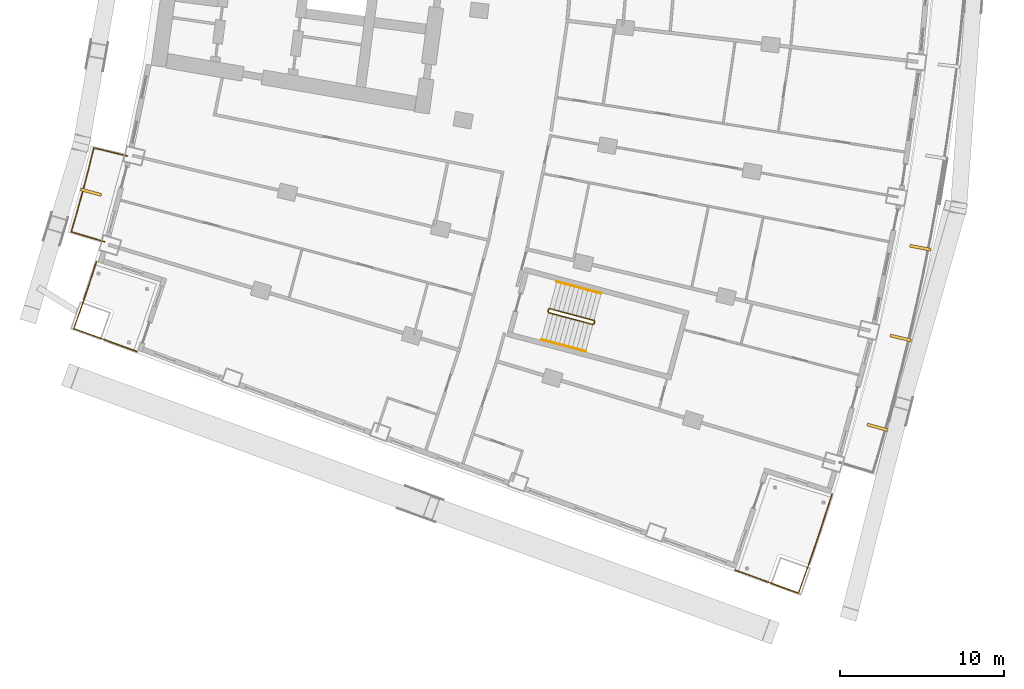
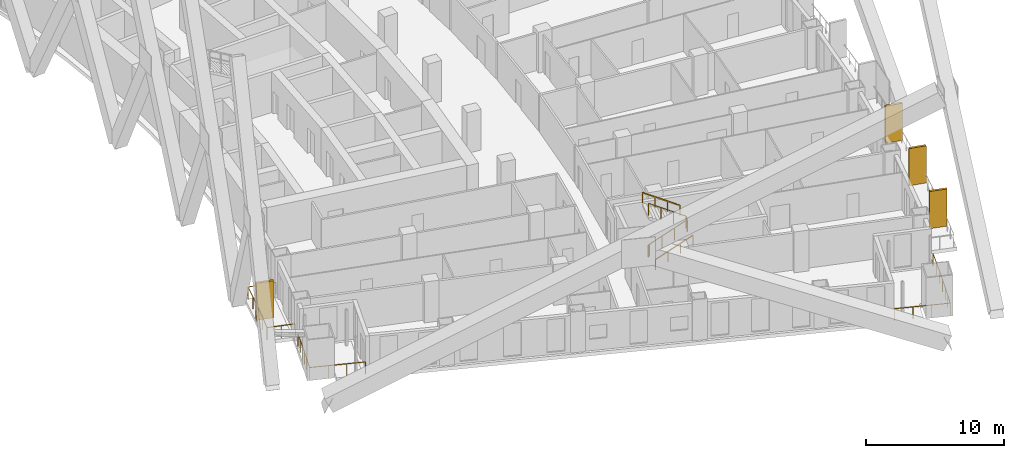
# One storey, part 21 of 23: 6 railings, 4 shading devices.
"""IFC4 building model written with IfcOpenShell, lengths in metres."""

from ifc_helpers import new_model, si_unit, direction, frame, origin, origin_2d, place, context, subcontext, project, spatial, rectangle, extrude, material, layer, layer_set, type_object, element, save


model = new_model("IFC4")

# Units and contexts
model_context = context("Model", 3, precision=1e-05, world=origin(), true_north=direction((0.0, 1.0)))
body_context = subcontext(model_context, "Body", "Model", "MODEL_VIEW")
ifc_project = project(units=[si_unit("LENGTHUNIT", "METRE"), si_unit("AREAUNIT", "SQUARE_METRE"), si_unit("VOLUMEUNIT", "CUBIC_METRE"), si_unit("PLANEANGLEUNIT", "RADIAN"), si_unit("MASSUNIT", "GRAM", prefix="KILO")], contexts=[model_context])

# Site, building, storey
site_placement = place(None, origin())
site = spatial("IfcSite", under=ifc_project, at=site_placement, CompositionType="ELEMENT")
building_placement = place(site_placement, origin())
building = spatial("IfcBuilding", under=site, at=building_placement, Name="Alderwake Tower", CompositionType="ELEMENT")
storey_placement = place(building_placement, frame((0.0, 0.0, 53.60009765625)))
storey = spatial("IfcBuildingStorey", under=building, at=storey_placement, Name="L12", CompositionType="ELEMENT", Elevation=53.60009765625)

# Railings
ifc_material_1 = material(Name="Stainless steel 316 rail and posts", Category="steel")
railing_type_1 = type_object("IfcRailingType", Name="Balcony guard 1100", PredefinedType="GUARDRAIL", material=ifc_material_1)
railing_1_placement = place(storey_placement, frame((12.16650390625, 33.435791015625, 0.0)))
element("IfcRailing", 1, at=railing_1_placement, inside=storey, type_object=railing_type_1, Name="Guard BR02", PredefinedType="GUARDRAIL", context=body_context, shape_type="SweptSolid", body=[
    extrude(rectangle(XDim=0.048095703125, YDim=0.048095703125, at=origin_2d()), frame((0.0, 0.0, 1.076171875), z_axis=(-0.958091458885, 0.286462486918, 0.0), x_axis=(-0.286462486918, -0.958091458885, 0.0)), (0.0, 0.0, 1.0), 2.099853515625),
    extrude(rectangle(XDim=0.048095703125, YDim=0.048095703125, at=origin_2d()), frame((-2.011962890625, 0.6015625, 1.076171875), z_axis=(0.279963157487, 0.960010744966, 0.0), x_axis=(-0.960010744966, 0.279963157487, 0.0)), (0.0, 0.0, 1.0), 1.272216796875),
    extrude(rectangle(XDim=0.048095703125, YDim=0.048095703125, at=origin_2d()), frame((-1.65576171875, 1.822998046875, 1.076171875), z_axis=(0.266487604617, 0.963838345671, 0.0), x_axis=(-0.963838345671, 0.266487604617, 0.0)), (0.0, 0.0, 1.0), 1.372314453125),
    extrude(rectangle(XDim=0.048095703125, YDim=0.048095703125, at=origin_2d()), frame((-1.2900390625, 3.145751953125, 1.076171875), z_axis=(0.252487086228, 0.967600264204, 0.0), x_axis=(-0.967600264204, 0.252487086228, 0.0)), (0.0, 0.0, 1.0), 1.3720703125),
    extrude(rectangle(XDim=0.048095703125, YDim=0.048095703125, at=origin_2d()), frame((-0.943603515625, 4.473388671875, 1.076171875), z_axis=(0.238877101641, 0.971049808358, 0.0), x_axis=(-0.971049808358, 0.238877101641, 0.0)), (0.0, 0.0, 1.0), 1.2724609375),
    extrude(rectangle(XDim=0.048095703125, YDim=0.048095703125, at=origin_2d()), frame((-0.6396484375, 5.708984375, 1.076171875), z_axis=(0.972646310656, -0.232291098337, 0.0), x_axis=(0.232291098337, 0.972646310656, 0.0)), (0.0, 0.0, 1.0), 2.099853515625),
    extrude(rectangle(XDim=0.0419921875, YDim=0.0419921875, at=origin_2d()), frame((0.0, 0.0, 0.0), z_axis=(0.0, 0.0, 1.0), x_axis=(-0.958091458885, 0.286462486918, 0.0)), (0.0, 0.0, 1.0), 1.052001953125),
    extrude(rectangle(XDim=0.0419921875, YDim=0.0419921875, at=origin_2d()), frame((-1.005859375, 0.30078125, 0.0), z_axis=(0.0, 0.0, 1.0), x_axis=(-0.958091458885, 0.286462486918, 0.0)), (0.0, 0.0, 1.0), 1.052001953125),
    extrude(rectangle(XDim=0.0419921875, YDim=0.0419921875, at=origin_2d()), frame((-2.011962890625, 0.6015625, 0.0), z_axis=(0.0, 0.0, 1.0), x_axis=(0.279963157487, 0.960010744966, 0.0)), (0.0, 0.0, 1.0), 1.052001953125),
    extrude(rectangle(XDim=0.0419921875, YDim=0.0419921875, at=origin_2d()), frame((-1.65576171875, 1.822998046875, 0.0), z_axis=(0.0, 0.0, 1.0), x_axis=(0.266487604617, 0.963838345671, 0.0)), (0.0, 0.0, 1.0), 1.052001953125),
    extrude(rectangle(XDim=0.0419921875, YDim=0.0419921875, at=origin_2d()), frame((-1.2900390625, 3.145751953125, 0.0), z_axis=(0.0, 0.0, 1.0), x_axis=(0.252487086228, 0.967600264204, 0.0)), (0.0, 0.0, 1.0), 1.052001953125),
    extrude(rectangle(XDim=0.0419921875, YDim=0.0419921875, at=origin_2d()), frame((-0.943603515625, 4.473388671875, 0.0), z_axis=(0.0, 0.0, 1.0), x_axis=(0.238877101641, 0.971049808358, 0.0)), (0.0, 0.0, 1.0), 1.052001953125),
    extrude(rectangle(XDim=0.0419921875, YDim=0.0419921875, at=origin_2d()), frame((-0.6396484375, 5.708984375, 0.0), z_axis=(0.0, 0.0, 1.0), x_axis=(0.972646310656, -0.232291098337, 0.0)), (0.0, 0.0, 1.0), 1.052001953125),
    extrude(rectangle(XDim=0.0419921875, YDim=0.0419921875, at=origin_2d()), frame((0.381591796875, 5.465087890625, 0.0), z_axis=(0.0, 0.0, 1.0), x_axis=(0.972646310656, -0.232291098337, 0.0)), (0.0, 0.0, 1.0), 1.052001953125),
    extrude(rectangle(XDim=0.0419921875, YDim=0.0419921875, at=origin_2d()), frame((1.40283203125, 5.22119140625, 0.0), z_axis=(0.0, 0.0, 1.0), x_axis=(0.972646310656, -0.232291098337, 0.0)), (0.0, 0.0, 1.0), 1.052001953125),
])
railing_2_placement = place(storey_placement, frame((56.501708984375, 18.048095703125, 0.0)))
element("IfcRailing", 2, at=railing_2_placement, inside=storey, type_object=railing_type_1, Name="Guard terrace FS", PredefinedType="GUARDRAIL", context=body_context, shape_type="SweptSolid", body=[
    extrude(rectangle(XDim=0.048095703125, YDim=0.048095703125, at=origin_2d()), frame((0.0, 0.0, 1.076171875), z_axis=(-0.307695208636, -0.95148497549, 0.0), x_axis=(0.95148497549, -0.307695208636, 0.0)), (0.0, 0.0, 1.0), 2.28662109375),
    extrude(rectangle(XDim=0.048095703125, YDim=0.048095703125, at=origin_2d()), frame((-0.70361328125, -2.17578125, 1.076171875), z_axis=(-0.322292794667, -0.946640034282, 0.0), x_axis=(0.946640034282, -0.322292794667, 0.0)), (0.0, 0.0, 1.0), 2.0869140625),
    extrude(rectangle(XDim=0.048095703125, YDim=0.048095703125, at=origin_2d()), frame((-1.376220703125, -4.1513671875, 1.076171875), z_axis=(-0.335736890056, -0.941955806105, 0.0), x_axis=(0.941955806105, -0.335736890056, 0.0)), (0.0, 0.0, 1.0), 1.986572265625),
    extrude(rectangle(XDim=0.048095703125, YDim=0.048095703125, at=origin_2d()), frame((-2.043212890625, -6.022705078125, 1.076171875), z_axis=(-0.939617696184, 0.342225926863, 0.0), x_axis=(-0.342225926863, -0.939617696184, 0.0)), (0.0, 0.0, 1.0), 4.099853515625),
    extrude(rectangle(XDim=0.0419921875, YDim=0.0419921875, at=origin_2d()), frame((0.0, 0.0, 0.0), z_axis=(0.0, 0.0, 1.0), x_axis=(-0.307695208636, -0.95148497549, 0.0)), (0.0, 0.0, 1.0), 1.052001953125),
    extrude(rectangle(XDim=0.0419921875, YDim=0.0419921875, at=origin_2d()), frame((-0.351806640625, -1.087890625, 0.0), z_axis=(0.0, 0.0, 1.0), x_axis=(-0.307695208636, -0.95148497549, 0.0)), (0.0, 0.0, 1.0), 1.052001953125),
    extrude(rectangle(XDim=0.0419921875, YDim=0.0419921875, at=origin_2d()), frame((-0.70361328125, -2.17578125, 0.0), z_axis=(0.0, 0.0, 1.0), x_axis=(-0.322292794667, -0.946640034282, 0.0)), (0.0, 0.0, 1.0), 1.052001953125),
    extrude(rectangle(XDim=0.0419921875, YDim=0.0419921875, at=origin_2d()), frame((-1.0400390625, -3.16357421875, 0.0), z_axis=(0.0, 0.0, 1.0), x_axis=(-0.322292794667, -0.946640034282, 0.0)), (0.0, 0.0, 1.0), 1.052001953125),
    extrude(rectangle(XDim=0.0419921875, YDim=0.0419921875, at=origin_2d()), frame((-1.376220703125, -4.1513671875, 0.0), z_axis=(0.0, 0.0, 1.0), x_axis=(-0.335736890056, -0.941955806105, 0.0)), (0.0, 0.0, 1.0), 1.052001953125),
    extrude(rectangle(XDim=0.0419921875, YDim=0.0419921875, at=origin_2d()), frame((-1.709716796875, -5.0869140625, 0.0), z_axis=(0.0, 0.0, 1.0), x_axis=(-0.335736890056, -0.941955806105, 0.0)), (0.0, 0.0, 1.0), 1.052001953125),
    extrude(rectangle(XDim=0.0419921875, YDim=0.0419921875, at=origin_2d()), frame((-2.043212890625, -6.022705078125, 0.0), z_axis=(0.0, 0.0, 1.0), x_axis=(-0.939617696184, 0.342225926863, 0.0)), (0.0, 0.0, 1.0), 1.052001953125),
    extrude(rectangle(XDim=0.0419921875, YDim=0.0419921875, at=origin_2d()), frame((-3.327392578125, -5.554931640625, 0.0), z_axis=(0.0, 0.0, 1.0), x_axis=(-0.939617696184, 0.342225926863, 0.0)), (0.0, 0.0, 1.0), 1.052001953125),
    extrude(rectangle(XDim=0.0419921875, YDim=0.0419921875, at=origin_2d()), frame((-4.611328125, -5.08740234375, 0.0), z_axis=(0.0, 0.0, 1.0), x_axis=(-0.939617696184, 0.342225926863, 0.0)), (0.0, 0.0, 1.0), 1.052001953125),
    extrude(rectangle(XDim=0.0419921875, YDim=0.0419921875, at=origin_2d()), frame((-5.8955078125, -4.61962890625, 0.0), z_axis=(0.0, 0.0, 1.0), x_axis=(-0.939617696184, 0.342225926863, 0.0)), (0.0, 0.0, 1.0), 1.052001953125),
])
railing_3_placement = place(storey_placement, frame((11.688720703125, 32.218017578125, 0.0)))
element("IfcRailing", 3, at=railing_3_placement, inside=storey, type_object=railing_type_1, Name="Guard terrace RS", PredefinedType="GUARDRAIL", context=body_context, shape_type="SweptSolid", body=[
    extrude(rectangle(XDim=0.048095703125, YDim=0.048095703125, at=origin_2d()), frame((0.0, 0.0, 1.076171875), z_axis=(-0.307479326145, -0.951554761426, 0.0), x_axis=(0.951554761426, -0.307479326145, 0.0)), (0.0, 0.0, 1.0), 1.6015625),
    extrude(rectangle(XDim=0.048095703125, YDim=0.048095703125, at=origin_2d()), frame((-0.492431640625, -1.52392578125, 1.076171875), z_axis=(-0.322283727344, -0.946643121292, 0.0), x_axis=(0.946643121292, -0.322283727344, 0.0)), (0.0, 0.0, 1.0), 1.4013671875),
    extrude(rectangle(XDim=0.048095703125, YDim=0.048095703125, at=origin_2d()), frame((-0.944091796875, -2.8505859375, 1.076171875), z_axis=(-0.335468607403, -0.942051385778, 0.0), x_axis=(0.942051385778, -0.335468607403, 0.0)), (0.0, 0.0, 1.0), 1.30126953125),
    extrude(rectangle(XDim=0.048095703125, YDim=0.048095703125, at=origin_2d()), frame((-1.380615234375, -4.076416015625, 1.076171875), z_axis=(0.939708203232, -0.341977327873, 0.0), x_axis=(0.341977327873, 0.939708203232, 0.0)), (0.0, 0.0, 1.0), 4.10009765625),
    extrude(rectangle(XDim=0.0419921875, YDim=0.0419921875, at=origin_2d()), frame((0.0, 0.0, 0.0), z_axis=(0.0, 0.0, 1.0), x_axis=(-0.307479326145, -0.951554761426, 0.0)), (0.0, 0.0, 1.0), 1.052001953125),
    extrude(rectangle(XDim=0.0419921875, YDim=0.0419921875, at=origin_2d()), frame((-0.24609375, -0.761962890625, 0.0), z_axis=(0.0, 0.0, 1.0), x_axis=(-0.307479326145, -0.951554761426, 0.0)), (0.0, 0.0, 1.0), 1.052001953125),
    extrude(rectangle(XDim=0.0419921875, YDim=0.0419921875, at=origin_2d()), frame((-0.492431640625, -1.52392578125, 0.0), z_axis=(0.0, 0.0, 1.0), x_axis=(-0.322283727344, -0.946643121292, 0.0)), (0.0, 0.0, 1.0), 1.052001953125),
    extrude(rectangle(XDim=0.0419921875, YDim=0.0419921875, at=origin_2d()), frame((-0.71826171875, -2.187255859375, 0.0), z_axis=(0.0, 0.0, 1.0), x_axis=(-0.322283727344, -0.946643121292, 0.0)), (0.0, 0.0, 1.0), 1.052001953125),
    extrude(rectangle(XDim=0.0419921875, YDim=0.0419921875, at=origin_2d()), frame((-0.944091796875, -2.8505859375, 0.0), z_axis=(0.0, 0.0, 1.0), x_axis=(-0.335468607403, -0.942051385778, 0.0)), (0.0, 0.0, 1.0), 1.052001953125),
    extrude(rectangle(XDim=0.0419921875, YDim=0.0419921875, at=origin_2d()), frame((-1.380615234375, -4.076416015625, 0.0), z_axis=(0.0, 0.0, 1.0), x_axis=(0.939708203232, -0.341977327873, 0.0)), (0.0, 0.0, 1.0), 1.052001953125),
    extrude(rectangle(XDim=0.0419921875, YDim=0.0419921875, at=origin_2d()), frame((-0.096435546875, -4.543701171875, 0.0), z_axis=(0.0, 0.0, 1.0), x_axis=(0.939708203232, -0.341977327873, 0.0)), (0.0, 0.0, 1.0), 1.052001953125),
    extrude(rectangle(XDim=0.0419921875, YDim=0.0419921875, at=origin_2d()), frame((1.18798828125, -5.01123046875, 0.0), z_axis=(0.0, 0.0, 1.0), x_axis=(0.939708203232, -0.341977327873, 0.0)), (0.0, 0.0, 1.0), 1.052001953125),
    extrude(rectangle(XDim=0.0419921875, YDim=0.0419921875, at=origin_2d()), frame((2.47216796875, -5.478515625, 0.0), z_axis=(0.0, 0.0, 1.0), x_axis=(0.939708203232, -0.341977327873, 0.0)), (0.0, 0.0, 1.0), 1.052001953125),
])

# Shading devices
ifc_material_2 = material(Name="Bronze anodised aluminium", Category="aluminium")
ifc_layer = layer(ifc_material_2, 0.179931640625)
ifc_layer_set = layer_set([ifc_layer], Name="Facade fin 1300")
shading_device_type = type_object("IfcShadingDeviceType", Name="Facade fin 1300", PredefinedType="USERDEFINED", material=ifc_layer_set)
for number, where, z_axis, x_axis, name in (
    (4, (59.276123046875, 22.1240234375, 0.0), (0.0, 0.0, 1.0), (0.96318180783, -0.268850897459, 0.0), "Fin"),
    (5, (60.6826171875, 27.570068359375, 0.0), (0.0, 0.0, 1.0), (0.972908790564, -0.231189284448, 0.0), "Fin"),
    (6, (61.876220703125, 33.06640625, 0.0), (0.0, 0.0, 1.0), (0.981163751315, -0.193177879441, 0.0), "Fin"),
    (7, (11.359375, 36.45166015625, 0.0), (0.0, 0.0, 1.0), (0.965744448231, -0.259495010957, 0.0), "Fin"),
):
    element("IfcShadingDevice", number, at=place(storey_placement, frame(where, z_axis=z_axis, x_axis=x_axis)), inside=storey, type_object=shading_device_type, Name=name, ObjectType="FIN", PredefinedType="USERDEFINED", context=body_context, shape_type="SweptSolid", body=[
        extrude(rectangle(XDim=1.300048828125, YDim=0.179931640625, at=origin_2d()), origin(), (0.0, 0.0, 1.0), 3.280029296875),
    ])

# Railings
ifc_material_3 = material(Name="Stainless steel guard", Category="steel")
railing_type_2 = type_object("IfcRailingType", Name="Stair guard 1100", PredefinedType="GUARDRAIL", material=ifc_material_3)
railing_4_placement = place(storey_placement, frame((39.1943359375, 29.17431640625, 0.0)))
element("IfcRailing", 8, at=railing_4_placement, inside=storey, type_object=railing_type_2, Name="L12 ST-C stair guard 1", PredefinedType="GUARDRAIL", context=body_context, shape_type="SweptSolid", body=[
    extrude(rectangle(XDim=0.048095703125, YDim=0.048095703125, at=origin_2d()), frame((0.0, 0.0, 1.076171875), z_axis=(0.257459803502, 0.966289009345, 0.0), x_axis=(-0.966289009345, 0.257459803502, 0.0)), (0.0, 0.0, 1.0), 0.14990234375),
    extrude(rectangle(XDim=0.048095703125, YDim=0.048095703125, at=origin_2d()), frame((0.03857421875, 0.144775390625, 1.076171875), z_axis=(-0.012062893862, -0.783160186125, 0.621702991355), x_axis=(0.999881397308, -0.015401016783, 0.0)), (0.0, 0.0, 1.0), 0.26318359375),
    extrude(rectangle(XDim=0.048095703125, YDim=0.048095703125, at=origin_2d()), frame((0.035400390625, -0.061279296875, 1.23974609375), z_axis=(0.834313512087, -0.222222637163, 0.504517653885), x_axis=(0.257380452725, 0.966310148221, 0.0)), (0.0, 0.0, 1.0), 3.2431640625),
    extrude(rectangle(XDim=0.048095703125, YDim=0.048095703125, at=origin_2d()), frame((2.7412109375, -0.781982421875, 2.8759765625), z_axis=(0.865031189262, 0.501718089772, 0.0), x_axis=(-0.501718089772, 0.865031189262, 0.0)), (0.0, 0.0, 1.0), 0.070556640625),
    extrude(rectangle(XDim=0.048095703125, YDim=0.048095703125, at=origin_2d()), frame((2.80224609375, -0.74658203125, 2.8759765625), z_axis=(0.257055032184, 0.966396766566, 0.0), x_axis=(-0.966396766566, 0.257055032184, 0.0)), (0.0, 0.0, 1.0), 0.150146484375),
    extrude(rectangle(XDim=0.048095703125, YDim=0.048095703125, at=origin_2d()), frame((2.8408203125, -0.6015625, 2.8759765625), z_axis=(-0.198375862152, 0.343395457933, 0.918001403477), x_axis=(-0.865898279276, -0.500220121494, 0.0)), (0.0, 0.0, 1.0), 0.178466796875),
    extrude(rectangle(XDim=0.048095703125, YDim=0.048095703125, at=origin_2d()), frame((2.805419921875, -0.540283203125, 3.03955078125), z_axis=(-0.834290631165, 0.222236594766, 0.504549342183), x_axis=(-0.257402139082, -0.966304371715, 0.0)), (0.0, 0.0, 1.0), 3.242919921875),
    extrude(rectangle(XDim=0.0419921875, YDim=0.0419921875, at=origin_2d()), frame((0.0, 0.0, 0.0), z_axis=(0.0, 0.0, 1.0), x_axis=(0.257459803502, 0.966289009345, 0.0)), (0.0, 0.0, 1.0), 1.052001953125),
    extrude(rectangle(XDim=0.0419921875, YDim=0.0419921875, at=origin_2d()), frame((0.03857421875, 0.144775390625, 0.0), z_axis=(0.0, 0.0, 1.0), x_axis=(-0.015401016783, -0.999881397308, 0.0)), (0.0, 0.0, 1.0), 1.052001953125),
    extrude(rectangle(XDim=0.0419921875, YDim=0.0419921875, at=origin_2d()), frame((0.035400390625, -0.061279296875, 0.16357421875), z_axis=(0.0, 0.0, 1.0), x_axis=(0.966310148221, -0.257380452725, 0.0)), (0.0, 0.0, 1.0), 1.052001953125),
    extrude(rectangle(XDim=0.0419921875, YDim=0.0419921875, at=origin_2d()), frame((0.937255859375, -0.301513671875, 0.708984375), z_axis=(0.0, 0.0, 1.0), x_axis=(0.966310148221, -0.257380452725, 0.0)), (0.0, 0.0, 1.0), 1.052001953125),
    extrude(rectangle(XDim=0.0419921875, YDim=0.0419921875, at=origin_2d()), frame((1.83935546875, -0.541748046875, 1.25439453125), z_axis=(0.0, 0.0, 1.0), x_axis=(0.966310148221, -0.257380452725, 0.0)), (0.0, 0.0, 1.0), 1.052001953125),
    extrude(rectangle(XDim=0.0419921875, YDim=0.0419921875, at=origin_2d()), frame((2.7412109375, -0.781982421875, 1.7998046875), z_axis=(0.0, 0.0, 1.0), x_axis=(0.865031189262, 0.501718089772, 0.0)), (0.0, 0.0, 1.0), 1.052001953125),
    extrude(rectangle(XDim=0.0419921875, YDim=0.0419921875, at=origin_2d()), frame((2.80224609375, -0.74658203125, 1.7998046875), z_axis=(0.0, 0.0, 1.0), x_axis=(0.257055032184, 0.966396766566, 0.0)), (0.0, 0.0, 1.0), 1.052001953125),
    extrude(rectangle(XDim=0.0419921875, YDim=0.0419921875, at=origin_2d()), frame((2.8408203125, -0.6015625, 1.7998046875), z_axis=(0.0, 0.0, 1.0), x_axis=(-0.500220121494, 0.865898279276, 0.0)), (0.0, 0.0, 1.0), 1.052001953125),
    extrude(rectangle(XDim=0.0419921875, YDim=0.0419921875, at=origin_2d()), frame((2.805419921875, -0.540283203125, 1.963623046875), z_axis=(0.0, 0.0, 1.0), x_axis=(-0.966304371715, 0.257402139082, 0.0)), (0.0, 0.0, 1.0), 1.052001953125),
    extrude(rectangle(XDim=0.0419921875, YDim=0.0419921875, at=origin_2d()), frame((1.903564453125, -0.300048828125, 2.509033203125), z_axis=(0.0, 0.0, 1.0), x_axis=(-0.966304371715, 0.257402139082, 0.0)), (0.0, 0.0, 1.0), 1.052001953125),
    extrude(rectangle(XDim=0.0419921875, YDim=0.0419921875, at=origin_2d()), frame((1.001708984375, -0.059814453125, 3.054443359375), z_axis=(0.0, 0.0, 1.0), x_axis=(-0.966304371715, 0.257402139082, 0.0)), (0.0, 0.0, 1.0), 1.052001953125),
    extrude(rectangle(XDim=0.0419921875, YDim=0.0419921875, at=origin_2d()), frame((0.099853515625, 0.180419921875, 3.599853515625), z_axis=(0.0, 0.0, 1.0), x_axis=(-0.966304371715, 0.257402139082, 0.0)), (0.0, 0.0, 1.0), 1.052001953125),
])
ifc_material_4 = material(Name="Stainless steel handrail", Category="steel")
railing_type_3 = type_object("IfcRailingType", Name="Stair handrail 900", PredefinedType="HANDRAIL", material=ifc_material_4)
railing_5_placement = place(storey_placement, frame((38.792236328125, 27.47021484375, 0.16357421875)))
element("IfcRailing", 9, at=railing_5_placement, inside=storey, type_object=railing_type_3, Name="L12 ST-C stair handrail 1", PredefinedType="HANDRAIL", context=body_context, shape_type="SweptSolid", body=[
    extrude(rectangle(XDim=0.048095703125, YDim=0.048095703125, at=origin_2d()), frame((0.0, 0.0, 0.8759765625), z_axis=(0.834304587439, -0.222165027751, 0.504557782442), x_axis=(0.25732071773, 0.966326056891, 0.0)), (0.0, 0.0, 1.0), 3.242919921875),
    extrude(rectangle(XDim=0.0419921875, YDim=0.0419921875, at=origin_2d()), frame((0.0, 0.0, 0.0), z_axis=(0.0, 0.0, 1.0), x_axis=(0.966326056891, -0.25732071773, 0.0)), (0.0, 0.0, 1.0), 0.851806640625),
    extrude(rectangle(XDim=0.0419921875, YDim=0.0419921875, at=origin_2d()), frame((0.90185546875, -0.240234375, 0.54541015625), z_axis=(0.0, 0.0, 1.0), x_axis=(0.966326056891, -0.25732071773, 0.0)), (0.0, 0.0, 1.0), 0.851806640625),
    extrude(rectangle(XDim=0.0419921875, YDim=0.0419921875, at=origin_2d()), frame((1.8037109375, -0.480224609375, 1.0908203125), z_axis=(0.0, 0.0, 1.0), x_axis=(0.966326056891, -0.25732071773, 0.0)), (0.0, 0.0, 1.0), 0.851806640625),
    extrude(rectangle(XDim=0.0419921875, YDim=0.0419921875, at=origin_2d()), frame((2.70556640625, -0.720458984375, 1.63623046875), z_axis=(0.0, 0.0, 1.0), x_axis=(0.966326056891, -0.25732071773, 0.0)), (0.0, 0.0, 1.0), 0.851806640625),
])
railing_6_placement = place(storey_placement, frame((42.437255859375, 30.276611328125, 1.963623046875)))
element("IfcRailing", 10, at=railing_6_placement, inside=storey, type_object=railing_type_3, Name="L12 ST-C stair handrail 2", PredefinedType="HANDRAIL", context=body_context, shape_type="SweptSolid", body=[
    extrude(rectangle(XDim=0.048095703125, YDim=0.048095703125, at=origin_2d()), frame((0.0, 0.0, 0.8759765625), z_axis=(-0.834290631165, 0.222236594766, 0.504549342183), x_axis=(-0.257402139082, -0.966304371715, 0.0)), (0.0, 0.0, 1.0), 3.242919921875),
    extrude(rectangle(XDim=0.0419921875, YDim=0.0419921875, at=origin_2d()), frame((0.0, 0.0, 0.0), z_axis=(0.0, 0.0, 1.0), x_axis=(-0.966304371715, 0.257402139082, 0.0)), (0.0, 0.0, 1.0), 0.851806640625),
    extrude(rectangle(XDim=0.0419921875, YDim=0.0419921875, at=origin_2d()), frame((-0.90185546875, 0.240234375, 0.54541015625), z_axis=(0.0, 0.0, 1.0), x_axis=(-0.966304371715, 0.257402139082, 0.0)), (0.0, 0.0, 1.0), 0.851806640625),
    extrude(rectangle(XDim=0.0419921875, YDim=0.0419921875, at=origin_2d()), frame((-1.8037109375, 0.48046875, 1.0908203125), z_axis=(0.0, 0.0, 1.0), x_axis=(-0.966304371715, 0.257402139082, 0.0)), (0.0, 0.0, 1.0), 0.851806640625),
    extrude(rectangle(XDim=0.0419921875, YDim=0.0419921875, at=origin_2d()), frame((-2.70556640625, 0.720703125, 1.63623046875), z_axis=(0.0, 0.0, 1.0), x_axis=(-0.966304371715, 0.257402139082, 0.0)), (0.0, 0.0, 1.0), 0.851806640625),
])

save(model, "model.ifc")
